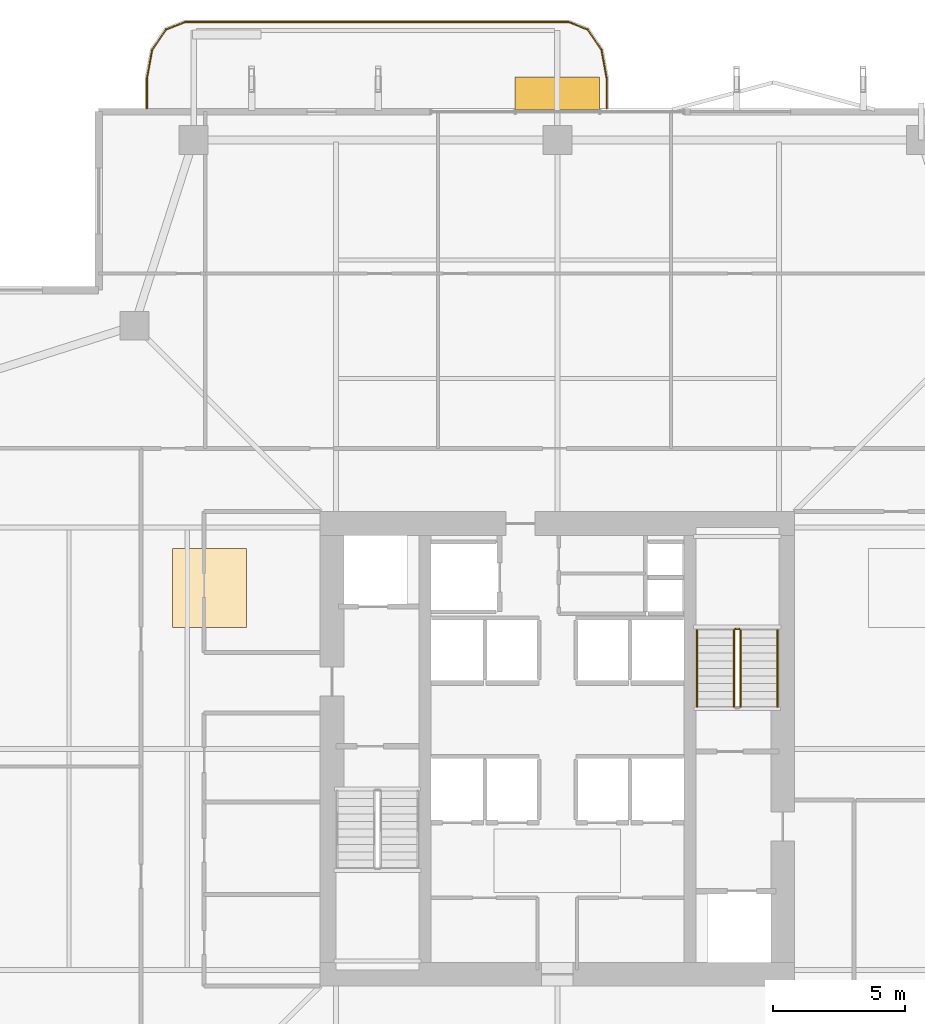
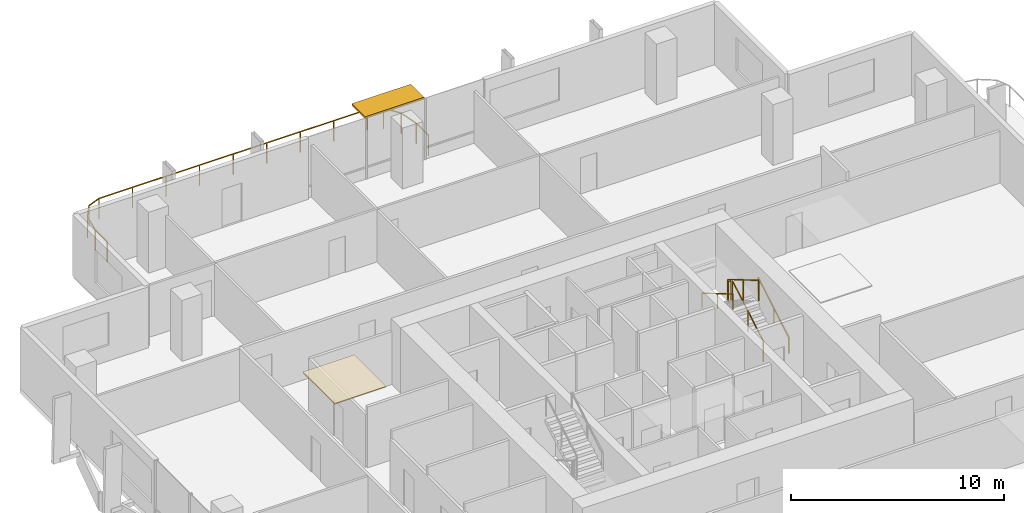
# One storey, part 24 of 25: 6 railings, 1 covering, 1 shading device.
"""IFC4 building model written with IfcOpenShell, lengths in metres."""

import ifcopenshell
import ifcopenshell.guid

model = None  # the IFC model being written
_history = None  # IfcOwnerHistory: only IFC2X3 demands one
_inside = {}  # id of a spatial element -> (the spatial element, [elements in it])
_under = {}  # id of a project, library or spatial element -> (it, [spatial elements below it])
_declared = {}  # id of a project -> (the project, [libraries it declares])
_typed = {}  # id of a type object -> (the type object, [elements of that type])
_made_of = {}  # id of a material, layer set ... -> (it, [elements and type objects made of it])


def new_model(schema):
    """Start an empty IFC model of exactly this schema.

    Asked for "IFC4X3", IfcOpenShell would pick the latest addendum, in which some entities
    have other attributes; the version numbers below select the first issue.
    IFC2X3 requires an IfcOwnerHistory on every rooted entity: one is made here for all.
    """
    global model, _history
    if schema == "IFC4X3":
        model = ifcopenshell.file(schema_version=(4, 3, 0, 0))
    else:
        model = ifcopenshell.file(schema=schema)
    _inside.clear()
    _under.clear()
    _declared.clear()
    _typed.clear()
    _made_of.clear()
    _history = None
    if model.schema == "IFC2X3":
        org = make("IfcOrganization", Name="unknown")
        user = make(
            "IfcPersonAndOrganization",
            ThePerson=make("IfcPerson", FamilyName="unknown"),
            TheOrganization=org,
        )
        app = make(
            "IfcApplication",
            ApplicationDeveloper=org,
            Version="unknown",
            ApplicationFullName="unknown",
            ApplicationIdentifier="unknown",
        )
        _history = make(
            "IfcOwnerHistory",
            OwningUser=user,
            OwningApplication=app,
            ChangeAction="ADDED",
            CreationDate=0,
        )
    return model


def make(cls, **values):
    """One entity of the class cls with the attributes given. An attribute that is None is left unset."""
    return model.create_entity(
        cls, **{name: value for name, value in values.items() if value is not None}
    )


def rooted(cls, **values):
    """An entity with a GlobalId (a new one), such as an element, a storey or a relation."""
    return make(cls, GlobalId=ifcopenshell.guid.new(), OwnerHistory=_history, **values)


def si_unit(unit_type, name, prefix=None):
    """IfcSIUnit, for example si_unit("LENGTHUNIT", "METRE", prefix="MILLI")."""
    return make("IfcSIUnit", UnitType=unit_type, Prefix=prefix, Name=name)


def assignment(units):
    """IfcUnitAssignment: the units of a project."""
    return None if units is None else make("IfcUnitAssignment", Units=units)


def point(xyz):
    """IfcCartesianPoint."""
    return None if xyz is None else make("IfcCartesianPoint", Coordinates=xyz)


def direction(xyz):
    """IfcDirection."""
    return None if xyz is None else make("IfcDirection", DirectionRatios=xyz)


def frame(location, z_axis=None, x_axis=None):
    """IfcAxis2Placement3D, a coordinate frame: its origin and axes. An axis left out is left unset."""
    return make(
        "IfcAxis2Placement3D",
        Location=point(location),
        Axis=direction(z_axis),
        RefDirection=direction(x_axis),
    )


def frame_2d(location, x_axis=None):
    """IfcAxis2Placement2D, a coordinate frame in the plane: its origin and x axis."""
    return make(
        "IfcAxis2Placement2D", Location=point(location), RefDirection=direction(x_axis)
    )


def origin():
    """The frame at (0, 0, 0) with its axes left unset."""
    return frame((0.0, 0.0, 0.0))


def origin_2d():
    """The frame at (0, 0) in the plane with its x axis left unset."""
    return frame_2d((0.0, 0.0))


def place(relative_to, where):
    """IfcLocalPlacement: puts the frame where relative to a parent placement (None: the world)."""
    return make(
        "IfcLocalPlacement", PlacementRelTo=relative_to, RelativePlacement=where
    )


def context(
    kind, dimensions, precision=None, world=None, true_north=None, identifier=None
):
    """IfcGeometricRepresentationContext, for example the 3D "Model" context."""
    return make(
        "IfcGeometricRepresentationContext",
        ContextIdentifier=identifier,
        ContextType=kind,
        CoordinateSpaceDimension=dimensions,
        Precision=precision,
        WorldCoordinateSystem=world,
        TrueNorth=true_north,
    )


def subcontext(parent, identifier, kind, view, scale=None):
    """IfcGeometricRepresentationSubContext, for example "Body" below "Model"."""
    return make(
        "IfcGeometricRepresentationSubContext",
        ContextIdentifier=identifier,
        ContextType=kind,
        ParentContext=parent,
        TargetScale=scale,
        TargetView=view,
    )


def project(units=None, contexts=None):
    """IfcProject with its units and contexts."""
    return rooted(
        "IfcProject",
        Name="project",
        RepresentationContexts=contexts,
        UnitsInContext=assignment(units),
    )


def spatial(cls, under=None, at=None, **own):
    """A site, building, storey or space (cls), placed at a placement, below another one or the project."""
    s = rooted(cls, ObjectPlacement=at, **own)
    if under is not None:
        _under.setdefault(under.id(), (under, []))[1].append(s)
    return s


def polyline(points):
    """IfcPolyline through the points."""
    return make("IfcPolyline", Points=[point(p) for p in points])


def profile(cls, at=None, kind="AREA", **sizes):
    """A parametric profile (cls). Its sizes go by their IFC names, for example OverallWidth=200.0."""
    return make(cls, ProfileType=kind, Position=at, **sizes)


def rectangle(**sizes):
    """IfcRectangleProfileDef."""
    return profile("IfcRectangleProfileDef", **sizes)


def outline(outer, holes=None, kind="AREA"):
    """IfcArbitraryClosedProfileDef: a profile drawn as a closed curve; with holes, ...WithVoids."""
    if holes is None:
        return make("IfcArbitraryClosedProfileDef", ProfileType=kind, OuterCurve=outer)
    return make(
        "IfcArbitraryProfileDefWithVoids",
        ProfileType=kind,
        OuterCurve=outer,
        InnerCurves=holes,
    )


def extrude(swept, where, along, depth):
    """IfcExtrudedAreaSolid: the profile swept, set in the frame where, extruded along a direction by depth."""
    return make(
        "IfcExtrudedAreaSolid",
        SweptArea=swept,
        Position=where,
        ExtrudedDirection=direction(along),
        Depth=depth,
    )


def shape(context_of_items, identifier, shape_type, items):
    """IfcShapeRepresentation: the items that make up one representation, for example the "Body"."""
    return make(
        "IfcShapeRepresentation",
        ContextOfItems=context_of_items,
        RepresentationIdentifier=identifier,
        RepresentationType=shape_type,
        Items=items,
    )


def material(Name=None, Category=None):
    """IfcMaterial."""
    return make("IfcMaterial", Name=Name, Category=Category)


def layer(
    of_material, thickness, ventilated=None, Name=None, Category=None, Priority=None
):
    """IfcMaterialLayer: one layer of a wall or slab, of a material (None: an air gap)."""
    return make(
        "IfcMaterialLayer",
        Material=of_material,
        LayerThickness=thickness,
        IsVentilated=ventilated,
        Name=Name,
        Category=Category,
        Priority=Priority,
    )


def layer_set(layers, Name=None):
    """IfcMaterialLayerSet."""
    return make("IfcMaterialLayerSet", MaterialLayers=layers, LayerSetName=Name)


def made_of(thing, what):
    """Note that an element or type object is made of a material, layer set ...; save() writes the relation."""
    if what is not None:
        _made_of.setdefault(what.id(), (what, []))[1].append(thing)
    return thing


def type_object(cls, material=None, **own):
    """A type object (cls), such as IfcWallType, which elements share."""
    return made_of(rooted(cls, **own), material)


def element(
    cls,
    number,
    at=None,
    inside=None,
    cuts=None,
    type_object=None,
    material=None,
    context=None,
    identifier="Body",
    shape_type=None,
    held_by="IfcProductDefinitionShape",
    body=None,
    shapes=None,
    **own,
):
    """One element of the class cls, such as IfcWall. Its Tag is "e" and its number.

    at: its placement. inside: the storey or other place that contains it. cuts: it is an
    opening in that element (IfcRelVoidsElement). A single representation is given by context,
    identifier, shape_type and body (its items); several are given by shapes. held_by: the class
    of the entity that holds the representations. save() writes the other relations.
    """
    e = rooted(cls, Tag="e%d" % number, ObjectPlacement=at, **own)
    if body is not None:
        shapes = [shape(context, identifier, shape_type, body)]
    if shapes is not None:
        e.Representation = make(held_by, Representations=shapes)
    if inside is not None:
        _inside.setdefault(inside.id(), (inside, []))[1].append(e)
    if cuts is not None:
        rooted(
            "IfcRelVoidsElement", RelatingBuildingElement=cuts, RelatedOpeningElement=e
        )
    if type_object is not None:
        _typed.setdefault(type_object.id(), (type_object, []))[1].append(e)
    return made_of(e, material)


def aggregate(whole, parts):
    """IfcRelAggregates: a whole, such as a stair, and the parts it consists of."""
    return rooted("IfcRelAggregates", RelatingObject=whole, RelatedObjects=parts)


def save(model, path):
    """Write the relations noted so far, then the file.

    IfcRelAggregates (storeys below a building ...), IfcRelContainedInSpatialStructure (elements
    in a storey), IfcRelDefinesByType, IfcRelAssociatesMaterial and IfcRelDeclares: one each for
    every whole, place, type object, material and project.
    """
    for whole, parts in _under.values():
        aggregate(whole, parts)
    for where, things in _inside.values():
        rooted(
            "IfcRelContainedInSpatialStructure",
            RelatedElements=things,
            RelatingStructure=where,
        )
    for kind, things in _typed.values():
        rooted("IfcRelDefinesByType", RelatedObjects=things, RelatingType=kind)
    for what, things in _made_of.values():
        rooted("IfcRelAssociatesMaterial", RelatedObjects=things, RelatingMaterial=what)
    for by, libraries in _declared.values():
        rooted("IfcRelDeclares", RelatingContext=by, RelatedDefinitions=libraries)
    model.write(path)


model = new_model("IFC4")

# Units and contexts
model_context = context("Model", 3, precision=1e-05, world=origin(), true_north=direction((0.0, 1.0)))
body_context = subcontext(model_context, "Body", "Model", "MODEL_VIEW")
ifc_project = project(units=[si_unit("LENGTHUNIT", "METRE"), si_unit("AREAUNIT", "SQUARE_METRE"), si_unit("VOLUMEUNIT", "CUBIC_METRE"), si_unit("PLANEANGLEUNIT", "RADIAN"), si_unit("MASSUNIT", "GRAM", prefix="KILO")], contexts=[model_context])

# Site, building, storey
site_placement = place(None, origin())
site = spatial("IfcSite", under=ifc_project, at=site_placement, CompositionType="ELEMENT")
building_placement = place(site_placement, origin())
building = spatial("IfcBuilding", under=site, at=building_placement, Name="Belovzor Exchange Tower", CompositionType="ELEMENT")
storey_placement = place(building_placement, frame((0.0, 0.0, 164.550048828125)))
storey = spatial("IfcBuildingStorey", under=building, at=storey_placement, Name="L40", CompositionType="ELEMENT", Elevation=164.550048828125)

# Railings
ifc_material_1 = material(Name="Stainless Steel Grade 304", Category="steel")
railing_type_1 = type_object("IfcRailingType", Name="Brushed Stainless Steel Stair Handrail 900", PredefinedType="HANDRAIL", material=ifc_material_1)
railing_1_placement = place(storey_placement, frame((37.14990234375, 30.39990234375, 0.17041015625)))
element("IfcRailing", 1, at=railing_1_placement, inside=storey, type_object=railing_type_1, Name="L40 ST-2 stair handrail 1", PredefinedType="HANDRAIL", context=body_context, shape_type="SweptSolid", body=[
    extrude(rectangle(XDim=0.048095703125, YDim=0.048095703125, at=origin_2d()), frame((0.0, 0.0, 0.8759765625), z_axis=(0.0, 0.862113265706, 0.506715617574), x_axis=(-1.0, 0.0, 0.0)), (0.0, 0.0, 1.0), 3.364013671875),
    extrude(rectangle(XDim=0.0419921875, YDim=0.0419921875, at=origin_2d()), origin(), (0.0, 0.0, 1.0), 0.851806640625),
    extrude(rectangle(XDim=0.0419921875, YDim=0.0419921875, at=origin_2d()), frame((0.0, 1.4501953125, 0.852294921875)), (0.0, 0.0, 1.0), 0.851806640625),
    extrude(rectangle(XDim=0.0419921875, YDim=0.0419921875, at=origin_2d()), frame((0.0, 2.900146484375, 1.70458984375)), (0.0, 0.0, 1.0), 0.851806640625),
])
railing_2_placement = place(storey_placement, frame((34.10009765625, 33.300048828125, 2.04541015625)))
element("IfcRailing", 2, at=railing_2_placement, inside=storey, type_object=railing_type_1, Name="L40 ST-2 stair handrail 2", PredefinedType="HANDRAIL", context=body_context, shape_type="SweptSolid", body=[
    extrude(rectangle(XDim=0.048095703125, YDim=0.048095703125, at=origin_2d()), frame((0.0, 0.0, 0.8759765625), z_axis=(0.0, -0.862113265706, 0.506715617574), x_axis=(1.0, 0.0, 0.0)), (0.0, 0.0, 1.0), 3.364013671875),
    extrude(rectangle(XDim=0.0419921875, YDim=0.0419921875, at=origin_2d()), origin(), (0.0, 0.0, 1.0), 0.851806640625),
    extrude(rectangle(XDim=0.0419921875, YDim=0.0419921875, at=origin_2d()), frame((0.0, -1.4501953125, 0.852294921875)), (0.0, 0.0, 1.0), 0.851806640625),
    extrude(rectangle(XDim=0.0419921875, YDim=0.0419921875, at=origin_2d()), frame((0.0, -2.900146484375, 1.70458984375)), (0.0, 0.0, 1.0), 0.851806640625),
])
ifc_material_2 = material(Name="Stainless Steel and Laminated Safety Glass", Category="steel")
railing_type_2 = type_object("IfcRailingType", Name="Laminated Glass & Stainless Steel Balcony Balustrade 1200", PredefinedType="BALUSTRADE", material=ifc_material_2)
railing_3_placement = place(storey_placement, frame((30.669921875, 53.110107421875, 0.0)))
element("IfcRailing", 3, at=railing_3_placement, inside=storey, type_object=railing_type_2, Name="GR-1 Balcony Balustrade L40 North", PredefinedType="BALUSTRADE", context=body_context, shape_type="SweptSolid", body=[
    extrude(rectangle(XDim=0.048095703125, YDim=0.048095703125, at=origin_2d()), frame((0.0, 0.0, 1.17578125), z_axis=(0.0, 1.0, 0.0), x_axis=(-1.0, 0.0, 0.0)), (0.0, 0.0, 1.0), 1.1328125),
    extrude(rectangle(XDim=0.048095703125, YDim=0.048095703125, at=origin_2d()), frame((0.0, 1.1328125, 1.17578125), z_axis=(-0.180083182347, 0.983651385113, 0.0), x_axis=(-0.983651385113, -0.180083182347, 0.0)), (0.0, 0.0, 1.0), 1.093994140625),
    extrude(rectangle(XDim=0.048095703125, YDim=0.048095703125, at=origin_2d()), frame((-0.197021484375, 2.208984375, 1.17578125), z_axis=(-0.562768145367, 0.826614792125, 0.0), x_axis=(-0.826614792125, -0.562768145367, 0.0)), (0.0, 0.0, 1.0), 0.9326171875),
    extrude(rectangle(XDim=0.048095703125, YDim=0.048095703125, at=origin_2d()), frame((-0.721923828125, 2.97998046875, 1.17578125), z_axis=(-0.930766990125, 0.365612923861, 0.0), x_axis=(-0.365612923861, -0.930766990125, 0.0)), (0.0, 0.0, 1.0), 0.765869140625),
    extrude(rectangle(XDim=0.048095703125, YDim=0.048095703125, at=origin_2d()), frame((-1.434814453125, 3.260009765625, 1.17578125), z_axis=(-1.0, 0.0, 0.0), x_axis=(0.0, -1.0, 0.0)), (0.0, 0.0, 1.0), 14.570068359375),
    extrude(rectangle(XDim=0.048095703125, YDim=0.048095703125, at=origin_2d()), frame((-16.0048828125, 3.260009765625, 1.17578125), z_axis=(-0.930809580156, -0.365504480807, 0.0), x_axis=(0.365504480807, -0.930809580156, 0.0)), (0.0, 0.0, 1.0), 0.76611328125),
    extrude(rectangle(XDim=0.048095703125, YDim=0.048095703125, at=origin_2d()), frame((-16.718017578125, 2.97998046875, 1.17578125), z_axis=(-0.562768145367, -0.826614792125, 0.0), x_axis=(0.826614792125, -0.562768145367, 0.0)), (0.0, 0.0, 1.0), 0.9326171875),
    extrude(rectangle(XDim=0.048095703125, YDim=0.048095703125, at=origin_2d()), frame((-17.242919921875, 2.208984375, 1.17578125), z_axis=(-0.180083182347, -0.983651385113, 0.0), x_axis=(0.983651385113, -0.180083182347, 0.0)), (0.0, 0.0, 1.0), 1.093994140625),
    extrude(rectangle(XDim=0.048095703125, YDim=0.048095703125, at=origin_2d()), frame((-17.43994140625, 1.1328125, 1.17578125), z_axis=(0.0, -1.0, 0.0), x_axis=(1.0, 0.0, 0.0)), (0.0, 0.0, 1.0), 1.1328125),
    extrude(rectangle(XDim=0.0419921875, YDim=0.0419921875, at=origin_2d()), origin(), (0.0, 0.0, 1.0), 1.15185546875),
    extrude(rectangle(XDim=0.0419921875, YDim=0.0419921875, at=origin_2d()), frame((0.0, 1.1328125, 0.0)), (0.0, 0.0, 1.0), 1.15185546875),
    extrude(rectangle(XDim=0.0419921875, YDim=0.0419921875, at=origin_2d()), frame((-0.197021484375, 2.208984375, 0.0)), (0.0, 0.0, 1.0), 1.15185546875),
    extrude(rectangle(XDim=0.0419921875, YDim=0.0419921875, at=origin_2d()), frame((-0.721923828125, 2.97998046875, 0.0)), (0.0, 0.0, 1.0), 1.15185546875),
    extrude(rectangle(XDim=0.0419921875, YDim=0.0419921875, at=origin_2d()), frame((-1.434814453125, 3.260009765625, 0.0)), (0.0, 0.0, 1.0), 1.15185546875),
    extrude(rectangle(XDim=0.0419921875, YDim=0.0419921875, at=origin_2d()), frame((-3.256103515625, 3.260009765625, 0.0)), (0.0, 0.0, 1.0), 1.15185546875),
    extrude(rectangle(XDim=0.0419921875, YDim=0.0419921875, at=origin_2d()), frame((-5.077392578125, 3.260009765625, 0.0)), (0.0, 0.0, 1.0), 1.15185546875),
    extrude(rectangle(XDim=0.0419921875, YDim=0.0419921875, at=origin_2d()), frame((-6.898681640625, 3.260009765625, 0.0)), (0.0, 0.0, 1.0), 1.15185546875),
    extrude(rectangle(XDim=0.0419921875, YDim=0.0419921875, at=origin_2d()), frame((-8.7197265625, 3.260009765625, 0.0)), (0.0, 0.0, 1.0), 1.15185546875),
    extrude(rectangle(XDim=0.0419921875, YDim=0.0419921875, at=origin_2d()), frame((-10.541015625, 3.260009765625, 0.0)), (0.0, 0.0, 1.0), 1.15185546875),
    extrude(rectangle(XDim=0.0419921875, YDim=0.0419921875, at=origin_2d()), frame((-12.3623046875, 3.260009765625, 0.0)), (0.0, 0.0, 1.0), 1.15185546875),
    extrude(rectangle(XDim=0.0419921875, YDim=0.0419921875, at=origin_2d()), frame((-14.18359375, 3.260009765625, 0.0)), (0.0, 0.0, 1.0), 1.15185546875),
    extrude(rectangle(XDim=0.0419921875, YDim=0.0419921875, at=origin_2d()), frame((-16.0048828125, 3.260009765625, 0.0)), (0.0, 0.0, 1.0), 1.15185546875),
    extrude(rectangle(XDim=0.0419921875, YDim=0.0419921875, at=origin_2d()), frame((-16.718017578125, 2.97998046875, 0.0)), (0.0, 0.0, 1.0), 1.15185546875),
    extrude(rectangle(XDim=0.0419921875, YDim=0.0419921875, at=origin_2d()), frame((-17.242919921875, 2.208984375, 0.0)), (0.0, 0.0, 1.0), 1.15185546875),
    extrude(rectangle(XDim=0.0419921875, YDim=0.0419921875, at=origin_2d()), frame((-17.43994140625, 1.1328125, 0.0)), (0.0, 0.0, 1.0), 1.15185546875),
    extrude(rectangle(XDim=0.0419921875, YDim=0.0419921875, at=origin_2d()), frame((-17.43994140625, 0.0, 0.0)), (0.0, 0.0, 1.0), 1.15185546875),
])
ifc_material_3 = material(Name="Steel S355", Category="steel")
railing_type_3 = type_object("IfcRailingType", Name="Painted Steel Stairwell Guardrail 1200", PredefinedType="GUARDRAIL", material=ifc_material_3)
railing_4_placement = place(storey_placement, frame((35.75, 30.39990234375, 0.17041015625)))
element("IfcRailing", 4, at=railing_4_placement, inside=storey, type_object=railing_type_3, Name="L40 ST-2 stair guard 1", PredefinedType="GUARDRAIL", context=body_context, shape_type="SweptSolid", body=[
    extrude(rectangle(XDim=0.048095703125, YDim=0.048095703125, at=origin_2d()), frame((0.0, 0.0, 1.17578125), z_axis=(0.0, 0.862113265706, 0.506715617574), x_axis=(-1.0, 0.0, 0.0)), (0.0, 0.0, 1.0), 3.364013671875),
    extrude(rectangle(XDim=0.0419921875, YDim=0.0419921875, at=origin_2d()), origin(), (0.0, 0.0, 1.0), 1.15185546875),
    extrude(rectangle(XDim=0.0419921875, YDim=0.0419921875, at=origin_2d()), frame((0.0, 1.4501953125, 0.852294921875)), (0.0, 0.0, 1.0), 1.15185546875),
    extrude(rectangle(XDim=0.0419921875, YDim=0.0419921875, at=origin_2d()), frame((0.0, 2.900146484375, 1.70458984375)), (0.0, 0.0, 1.0), 1.15185546875),
])
railing_5_placement = place(storey_placement, frame((35.699951171875, 33.35009765625, 1.875)))
element("IfcRailing", 5, at=railing_5_placement, inside=storey, type_object=railing_type_3, Name="L40 ST-2 stair guard 2", PredefinedType="GUARDRAIL", context=body_context, shape_type="SweptSolid", body=[
    extrude(rectangle(XDim=0.048095703125, YDim=0.048095703125, at=origin_2d()), frame((0.0, 0.0, 1.17578125), z_axis=(-1.0, 0.0, 0.0), x_axis=(0.0, -1.0, 0.0)), (0.0, 0.0, 1.0), 0.14990234375),
    extrude(rectangle(XDim=0.0419921875, YDim=0.0419921875, at=origin_2d()), origin(), (0.0, 0.0, 1.0), 1.15185546875),
    extrude(rectangle(XDim=0.0419921875, YDim=0.0419921875, at=origin_2d()), frame((-0.14990234375, 0.0, 0.0)), (0.0, 0.0, 1.0), 1.15185546875),
])
railing_6_placement = place(storey_placement, frame((35.5, 33.300048828125, 2.04541015625)))
element("IfcRailing", 6, at=railing_6_placement, inside=storey, type_object=railing_type_3, Name="L40 ST-2 stair guard 3", PredefinedType="GUARDRAIL", context=body_context, shape_type="SweptSolid", body=[
    extrude(rectangle(XDim=0.048095703125, YDim=0.048095703125, at=origin_2d()), frame((0.0, 0.0, 1.17578125), z_axis=(0.0, -0.862113265706, 0.506715617574), x_axis=(1.0, 0.0, 0.0)), (0.0, 0.0, 1.0), 3.364013671875),
    extrude(rectangle(XDim=0.0419921875, YDim=0.0419921875, at=origin_2d()), origin(), (0.0, 0.0, 1.0), 1.15185546875),
    extrude(rectangle(XDim=0.0419921875, YDim=0.0419921875, at=origin_2d()), frame((0.0, -1.4501953125, 0.852294921875)), (0.0, 0.0, 1.0), 1.15185546875),
    extrude(rectangle(XDim=0.0419921875, YDim=0.0419921875, at=origin_2d()), frame((0.0, -2.900146484375, 1.70458984375)), (0.0, 0.0, 1.0), 1.15185546875),
])

# Covering
ifc_material_4 = material(Name="Perforated Powder-Coated Aluminium", Category="aluminium")
ifc_layer_1 = layer(ifc_material_4, 0.06005859375)
ifc_layer_set_1 = layer_set([ifc_layer_1], Name="Perforated Powder-Coated Aluminium")
covering_type = type_object("IfcCoveringType", Name="Perforated Acoustic Metal Tile Suspended Ceiling 60", PredefinedType="CEILING", material=ifc_layer_set_1)
covering_placement = place(storey_placement, frame((0.0, 0.0, 3.43505859375)))
element("IfcCovering", 7, at=covering_placement, inside=storey, type_object=covering_type, Name="CLG-AC60 Suspended Ceiling CLG-L40-Z3", PredefinedType="CEILING", context=body_context, shape_type="SweptSolid", body=[
    extrude(outline(polyline([(14.199951171875, 33.39990234375), (17.0, 33.39990234375), (17.0, 36.39990234375), (14.199951171875, 36.39990234375), (14.199951171875, 33.39990234375)])), origin(), (0.0, 0.0, 1.0), 0.059814453125),
])

# Shading device
ifc_material_5 = material(Name="Extruded Architectural Terracotta", Category="masonry")
ifc_layer_2 = layer(ifc_material_5, 0.1201171875)
ifc_layer_set_2 = layer_set([ifc_layer_2], Name="Extruded Architectural Terracotta")
shading_device_type = type_object("IfcShadingDeviceType", Name="Streamline Terracotta Horizontal Sunshade Hood 1250", PredefinedType="AWNING", material=ifc_layer_set_2)
shading_device_placement = place(storey_placement, frame((28.800048828125, 53.6650390625, 3.375), z_axis=(0.0, 0.0, 1.0), x_axis=(1.0, 0.0, 0.0)))
element("IfcShadingDevice", 8, at=shading_device_placement, inside=storey, type_object=shading_device_type, Name="SHD-TC125 Terracotta Sunshade L40 N", PredefinedType="AWNING", context=body_context, shape_type="SweptSolid", body=[
    extrude(rectangle(XDim=3.199951171875, YDim=1.25, at=origin_2d()), origin(), (0.0, 0.0, 1.0), 0.1201171875),
])

save(model, "model.ifc")
